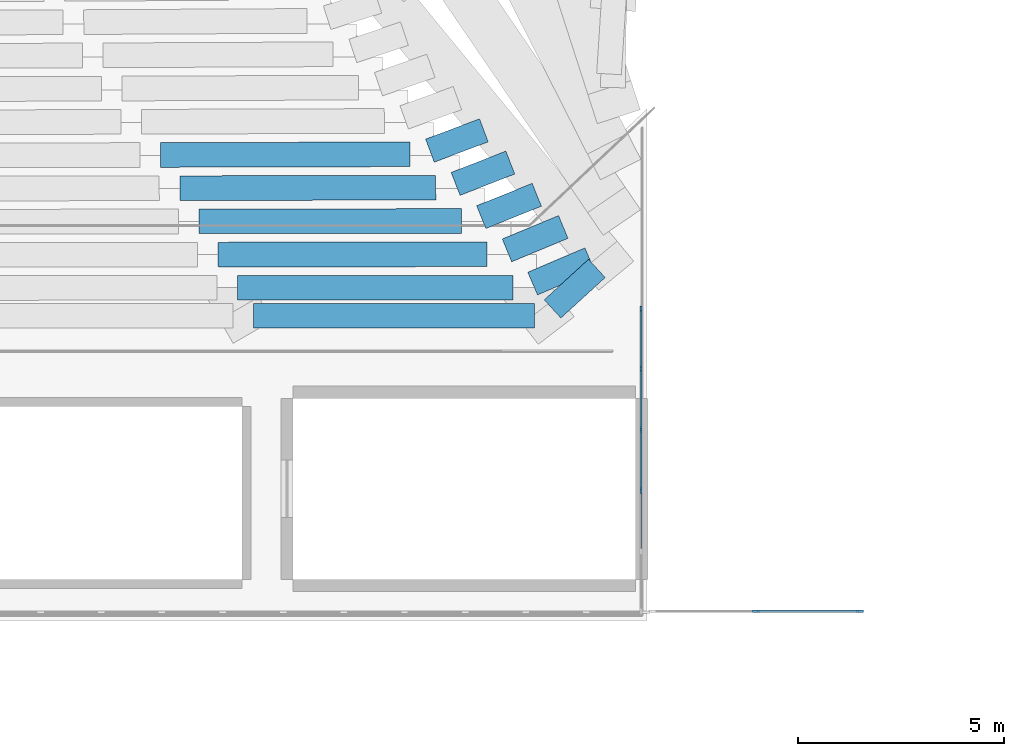
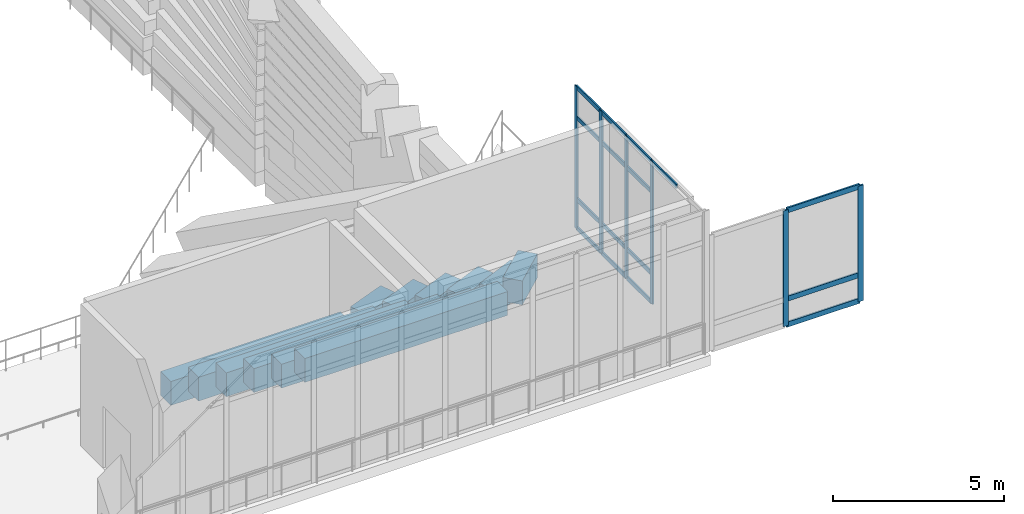
# One storey, part 14 of 55: 22 members, 12 beams, 2 elements without a shape of their own.
"""IFC4 building model written with IfcOpenShell, lengths in metres."""

from ifc_helpers import new_model, si_unit, derived_unit, direction, frame, origin, origin_2d, place, context, subcontext, project, spatial, rectangle, extrude, material, layer, layer_set, material_profile, profile_set, type_object, element, aggregate, save


model = new_model("IFC4")

# Units and contexts
model_context = context("Model", 3, precision=1e-05, world=origin(), true_north=direction((0.0, 1.0)))
body_context = subcontext(model_context, "Body", "Model", "MODEL_VIEW")
ifc_project = project(units=[si_unit("LENGTHUNIT", "METRE"), si_unit("AREAUNIT", "SQUARE_METRE"), si_unit("VOLUMEUNIT", "CUBIC_METRE"), si_unit("PLANEANGLEUNIT", "RADIAN"), si_unit("MASSUNIT", "GRAM", prefix="KILO"), derived_unit("THERMALTRANSMITTANCEUNIT", [(si_unit("MASSUNIT", "GRAM", prefix="KILO"), 1), (si_unit("TIMEUNIT", "SECOND"), -3), (si_unit("THERMODYNAMICTEMPERATUREUNIT", "KELVIN"), -1)])], contexts=[model_context])

# Site, building, storey
site_placement = place(None, origin())
site = spatial("IfcSite", under=ifc_project, at=site_placement, CompositionType="ELEMENT")
building_placement = place(site_placement, origin())
building = spatial("IfcBuilding", under=site, at=building_placement, Name="Valcora Ridge Arena", CompositionType="ELEMENT")
storey_placement = place(building_placement, frame((0.0, 0.0, 21.0)))
storey = spatial("IfcBuildingStorey", under=building, at=storey_placement, Name="L04", CompositionType="ELEMENT", Elevation=21.0)

# Beams
ifc_material_1 = material(Name="Concrete C40/50", Category="concrete")
ifc_material_profile_1 = material_profile(ifc_material_1, rectangle(XDim=0.60009765625, YDim=0.85009765625, at=origin_2d()), Name="RC 600x850")
ifc_profile_set_1 = profile_set([ifc_material_profile_1], Name="Concrete C40/50")
beam_type = type_object("IfcBeamType", Name="TY-BEAM-B-RC600-X", PredefinedType="BEAM", material=ifc_profile_set_1)
beam_1_placement = place(storey_placement, frame((77.976806640625, 31.31640625, -3.905029296875), z_axis=(0.999996573576, 0.002617792077, 0.0), x_axis=(-0.002617792077, 0.999996573576, 0.0)))
element("IfcBeam", 1, at=beam_1_placement, inside=storey, type_object=beam_type, Name="B-RC600-X BEM-RU3-B-RC600-X-0375", PredefinedType="BEAM", context=body_context, shape_type="SweptSolid", body=[
    extrude(rectangle(XDim=0.60009765625, YDim=0.85009765625, at=origin_2d()), origin(), (0.0, 0.0, 1.0), 6.06201171875),
])
beam_2_placement = place(storey_placement, frame((84.52294921875, 31.4208984375, -3.905029296875), z_axis=(0.935819809838, 0.352478770304, 0.0), x_axis=(-0.352478770304, 0.935819809838, 0.0)))
element("IfcBeam", 2, at=beam_2_placement, inside=storey, type_object=beam_type, Name="B-RC600-X BEM-RU3-B-RC600-X-0376", PredefinedType="BEAM", context=body_context, shape_type="SweptSolid", body=[
    extrude(rectangle(XDim=0.60009765625, YDim=0.85009765625, at=origin_2d()), origin(), (0.0, 0.0, 1.0), 1.401123046875),
])
beam_3_placement = place(storey_placement, frame((78.443603515625, 30.5087890625, -3.425048828125), z_axis=(0.999997836676, 0.002080058294, 0.0), x_axis=(-0.002080058294, 0.999997836676, 0.0)))
element("IfcBeam", 3, at=beam_3_placement, inside=storey, type_object=beam_type, Name="B-RC600-X BEM-RU3-B-RC600-X-0405", PredefinedType="BEAM", context=body_context, shape_type="SweptSolid", body=[
    extrude(rectangle(XDim=0.60009765625, YDim=0.85009765625, at=origin_2d()), origin(), (0.0, 0.0, 1.0), 6.220703125),
])
beam_4_placement = place(storey_placement, frame((85.147216796875, 30.613037109375, -3.425048828125), z_axis=(0.931763874775, 0.363064844986, 0.0), x_axis=(-0.363064844986, 0.931763874775, 0.0)))
element("IfcBeam", 4, at=beam_4_placement, inside=storey, type_object=beam_type, Name="B-RC600-X BEM-RU3-B-RC600-X-0406", PredefinedType="BEAM", context=body_context, shape_type="SweptSolid", body=[
    extrude(rectangle(XDim=0.60009765625, YDim=0.85009765625, at=origin_2d()), origin(), (0.0, 0.0, 1.0), 1.42822265625),
])
beam_5_placement = place(storey_placement, frame((78.91064453125, 29.70166015625, -2.945068359375), z_axis=(0.999998885998, 0.001492649899, 0.0), x_axis=(-0.001492649899, 0.999998885998, 0.0)))
element("IfcBeam", 5, at=beam_5_placement, inside=storey, type_object=beam_type, Name="B-RC600-X BEM-RU3-B-RC600-X-0437", PredefinedType="BEAM", context=body_context, shape_type="SweptSolid", body=[
    extrude(rectangle(XDim=0.60009765625, YDim=0.85009765625, at=origin_2d()), origin(), (0.0, 0.0, 1.0), 6.37890625),
])
beam_6_placement = place(storey_placement, frame((85.771484375, 29.804931640625, -2.945068359375), z_axis=(0.927606532512, 0.373558724757, 0.0), x_axis=(-0.373558724757, 0.927606532512, 0.0)))
element("IfcBeam", 6, at=beam_6_placement, inside=storey, type_object=beam_type, Name="B-RC600-X BEM-RU3-B-RC600-X-0438", PredefinedType="BEAM", context=body_context, shape_type="SweptSolid", body=[
    extrude(rectangle(XDim=0.60009765625, YDim=0.85009765625, at=origin_2d()), origin(), (0.0, 0.0, 1.0), 1.45556640625),
])
beam_7_placement = place(storey_placement, frame((79.377685546875, 28.894287109375, -2.465087890625), z_axis=(0.9999994916, 0.001008365188, 0.0), x_axis=(-0.001008365188, 0.9999994916, 0.0)))
element("IfcBeam", 7, at=beam_7_placement, inside=storey, type_object=beam_type, Name="B-RC600-X BEM-RU3-B-RC600-X-0469", PredefinedType="BEAM", context=body_context, shape_type="SweptSolid", body=[
    extrude(rectangle(XDim=0.60009765625, YDim=0.85009765625, at=origin_2d()), origin(), (0.0, 0.0, 1.0), 6.537109375),
])
beam_8_placement = place(storey_placement, frame((86.395751953125, 28.996826171875, -2.465087890625), z_axis=(0.923432099085, 0.383761851126, 0.0), x_axis=(-0.383761851126, 0.923432099085, 0.0)))
element("IfcBeam", 8, at=beam_8_placement, inside=storey, type_object=beam_type, Name="B-RC600-X BEM-RU3-B-RC600-X-0470", PredefinedType="BEAM", context=body_context, shape_type="SweptSolid", body=[
    extrude(rectangle(XDim=0.60009765625, YDim=0.85009765625, at=origin_2d()), origin(), (0.0, 0.0, 1.0), 1.48291015625),
])
beam_9_placement = place(storey_placement, frame((79.8447265625, 28.087158203125, -1.985107421875), z_axis=(0.999999887653, 0.000474020001, 0.0), x_axis=(-0.000474020001, 0.999999887653, 0.0)))
element("IfcBeam", 9, at=beam_9_placement, inside=storey, type_object=beam_type, Name="B-RC600-X BEM-RU3-B-RC600-X-0501", PredefinedType="BEAM", context=body_context, shape_type="SweptSolid", body=[
    extrude(rectangle(XDim=0.60009765625, YDim=0.85009765625, at=origin_2d()), origin(), (0.0, 0.0, 1.0), 6.695556640625),
])
beam_10_placement = place(storey_placement, frame((87.02001953125, 28.188720703125, -1.985107421875), z_axis=(0.919303790342, 0.393548651456, 0.0), x_axis=(-0.393548651456, 0.919303790342, 0.0)))
element("IfcBeam", 10, at=beam_10_placement, inside=storey, type_object=beam_type, Name="B-RC600-X BEM-RU3-B-RC600-X-0502", PredefinedType="BEAM", context=body_context, shape_type="SweptSolid", body=[
    extrude(rectangle(XDim=0.60009765625, YDim=0.85009765625, at=origin_2d()), origin(), (0.0, 0.0, 1.0), 1.510498046875),
])
beam_11_placement = place(storey_placement, frame((80.2373046875, 27.408447265625, -1.5048828125), z_axis=(0.999999892081, -0.000464584326, 0.0), x_axis=(0.000464584326, 0.999999892081, 0.0)))
element("IfcBeam", 11, at=beam_11_placement, inside=storey, type_object=beam_type, Name="B-RC600-X BEM-RU3-B-RC600-X-0533", PredefinedType="BEAM", context=body_context, shape_type="SweptSolid", body=[
    extrude(rectangle(XDim=0.60009765625, YDim=0.85009765625, at=origin_2d()), origin(), (0.0, 0.0, 1.0), 6.83154296875),
])
beam_12_placement = place(storey_placement, frame((87.50341796875, 27.57373046875, -1.5048828125), z_axis=(0.738083531523, 0.674709345196, 0.0), x_axis=(-0.674709345196, 0.738083531523, 0.0)))
element("IfcBeam", 12, at=beam_12_placement, inside=storey, type_object=beam_type, Name="B-RC600-X BEM-RU3-B-RC600-X-0534", PredefinedType="BEAM", context=body_context, shape_type="SweptSolid", body=[
    extrude(rectangle(XDim=0.60009765625, YDim=0.85009765625, at=origin_2d()), origin(), (0.0, 0.0, 1.0), 1.4599609375),
])

# Curtain wall, members
ifc_material_2 = material(Name="Anodised dark bronze architectural aluminium 6063-T6", Category="aluminium")
ifc_layer_1 = layer(ifc_material_2, 0.14990234375, Name="Anodised dark bronze architectural aluminium 6063-T6")
ifc_layer_set_1 = layer_set([ifc_layer_1], Name="Anodised dark bronze architectural aluminium 6063-T6")
curtain_wall_type_1 = type_object("IfcCurtainWallType", Name="TY-CURTAINWALL-CW-V1-EAST-074X51", PredefinedType="NOTDEFINED", material=ifc_layer_set_1)
curtain_wall_1_placement = place(storey_placement, origin())
curtain_wall_1 = element("IfcCurtainWall", 13, at=curtain_wall_1_placement, inside=storey, type_object=curtain_wall_type_1, Name="CW-V1-EAST-074X51 CW-0161", PredefinedType="NOTDEFINED")
ifc_material_profile_2 = material_profile(ifc_material_2, rectangle(XDim=0.050048828125, YDim=0.14990234375, at=origin_2d()), Name="ALU MULLION 50x150")
ifc_profile_set_2 = profile_set([ifc_material_profile_2], Name="Anodised dark bronze architectural aluminium 6063-T6")
member_type_1 = type_object("IfcMemberType", Name="TY-MEM-CWM-50x150", PredefinedType="MULLION", material=ifc_profile_set_2)
member_1_placement = place(storey_placement, frame((89.64990234375, 23.159912109375, 0.0), z_axis=(0.0, 0.0, 1.0), x_axis=(-1.0, 0.0, 0.0)))
member_1 = element("IfcMember", 14, at=member_1_placement, type_object=member_type_1, Name="CW-0161/CWM-50x150/M02", PredefinedType="MULLION", context=body_context, shape_type="SweptSolid", body=[
    extrude(rectangle(XDim=0.050048828125, YDim=0.14990234375, at=origin_2d()), origin(), (0.0, 0.0, 1.0), 5.06005859375),
])
member_2_placement = place(storey_placement, frame((89.64990234375, 24.639892578125, 0.0), z_axis=(0.0, 0.0, 1.0), x_axis=(-1.0, 0.0, 0.0)))
member_2 = element("IfcMember", 15, at=member_2_placement, type_object=member_type_1, Name="CW-0161/CWM-50x150/M03", PredefinedType="MULLION", context=body_context, shape_type="SweptSolid", body=[
    extrude(rectangle(XDim=0.050048828125, YDim=0.14990234375, at=origin_2d()), origin(), (0.0, 0.0, 1.0), 5.06005859375),
])
member_3_placement = place(storey_placement, frame((89.64990234375, 26.1201171875, 0.0), z_axis=(0.0, 0.0, 1.0), x_axis=(-1.0, 0.0, 0.0)))
member_3 = element("IfcMember", 16, at=member_3_placement, type_object=member_type_1, Name="CW-0161/CWM-50x150/M04", PredefinedType="MULLION", context=body_context, shape_type="SweptSolid", body=[
    extrude(rectangle(XDim=0.050048828125, YDim=0.14990234375, at=origin_2d()), origin(), (0.0, 0.0, 1.0), 5.06005859375),
])
member_4_placement = place(storey_placement, frame((89.64990234375, 27.574951171875, 0.0), z_axis=(0.0, 0.0, 1.0), x_axis=(-1.0, 0.0, 0.0)))
member_4 = element("IfcMember", 17, at=member_4_placement, type_object=member_type_1, Name="CW-0161/CWM-50x150/M05", PredefinedType="MULLION", context=body_context, shape_type="SweptSolid", body=[
    extrude(rectangle(XDim=0.050048828125, YDim=0.14990234375, at=origin_2d()), origin(), (0.0, 0.0, 1.0), 5.06005859375),
])

ifc_layer_2 = layer(ifc_material_2, 0.179931640625, Name="Anodised dark bronze architectural aluminium 6063-T6")
ifc_layer_set_2 = layer_set([ifc_layer_2], Name="Anodised dark bronze architectural aluminium 6063-T6")
curtain_wall_type_2 = type_object("IfcCurtainWallType", Name="TY-CURTAINWALL-CW-V1-TYMPS-051X41", PredefinedType="NOTDEFINED", material=ifc_layer_set_2)
curtain_wall_2_placement = place(storey_placement, origin())
curtain_wall_2 = element("IfcCurtainWall", 18, at=curtain_wall_2_placement, inside=storey, type_object=curtain_wall_type_2, Name="CW-V1-TYMPS-051X41 CW-0180", PredefinedType="NOTDEFINED")
ifc_material_profile_3 = material_profile(ifc_material_2, rectangle(XDim=0.06005859375, YDim=0.179931640625, at=origin_2d()), Name="ALU MULLION 60x180")
ifc_profile_set_3 = profile_set([ifc_material_profile_3], Name="Anodised dark bronze architectural aluminium 6063-T6")
member_type_2 = type_object("IfcMemberType", Name="TY-MEM-CWM-60x180", PredefinedType="MULLION", material=ifc_profile_set_3)
member_5_placement = place(storey_placement, frame((92.449951171875, 20.219970703125, 0.0), z_axis=(0.0, 0.0, 1.0), x_axis=(0.0, 1.0, 0.0)))
member_5 = element("IfcMember", 19, at=member_5_placement, type_object=member_type_2, Name="CW-0180/CWM-60x180/M01", PredefinedType="MULLION", context=body_context, shape_type="SweptSolid", body=[
    extrude(rectangle(XDim=0.06005859375, YDim=0.179931640625, at=origin_2d()), origin(), (0.0, 0.0, 1.0), 4.12548828125),
])
member_6_placement = place(storey_placement, frame((94.969970703125, 20.219970703125, 0.0), z_axis=(0.0, 0.0, 1.0), x_axis=(0.0, 1.0, 0.0)))
member_6 = element("IfcMember", 20, at=member_6_placement, type_object=member_type_2, Name="CW-0180/CWM-60x180/M02", PredefinedType="MULLION", context=body_context, shape_type="SweptSolid", body=[
    extrude(rectangle(XDim=0.06005859375, YDim=0.179931640625, at=origin_2d()), origin(), (0.0, 0.0, 1.0), 4.12548828125),
])

# Member
ifc_material_profile_4 = material_profile(ifc_material_2, rectangle(XDim=0.050048828125, YDim=0.14990234375, at=origin_2d()), Name="ALU TRANSOM 50x150")
ifc_profile_set_4 = profile_set([ifc_material_profile_4], Name="Anodised dark bronze architectural aluminium 6063-T6")
member_type_3 = type_object("IfcMemberType", Name="TY-MEM-CWT-50x150", PredefinedType="USERDEFINED", material=ifc_profile_set_4)
member_7_placement = place(storey_placement, frame((89.64990234375, 21.705078125, 5.034912109375), z_axis=(0.0, 1.0, 0.0), x_axis=(-1.0, 0.0, 0.0)))
member_7 = element("IfcMember", 21, at=member_7_placement, type_object=member_type_3, Name="CW-0161/CWT-50x150/T01-03", ObjectType="TRANSOM", PredefinedType="USERDEFINED", context=body_context, shape_type="SweptSolid", body=[
    extrude(rectangle(XDim=0.050048828125, YDim=0.14990234375, at=origin_2d()), origin(), (0.0, 0.0, 1.0), 1.429931640625),
])

member_8_placement = place(storey_placement, frame((89.64990234375, 23.18505859375, 0.02490234375), z_axis=(0.0, 1.0, 0.0), x_axis=(-1.0, 0.0, 0.0)))
member_8 = element("IfcMember", 22, at=member_8_placement, type_object=member_type_3, Name="CW-0161/CWT-50x150/T02-00", ObjectType="TRANSOM", PredefinedType="USERDEFINED", context=body_context, shape_type="SweptSolid", body=[
    extrude(rectangle(XDim=0.050048828125, YDim=0.14990234375, at=origin_2d()), origin(), (0.0, 0.0, 1.0), 1.429931640625),
])

member_9_placement = place(storey_placement, frame((89.64990234375, 23.18505859375, 1.050048828125), z_axis=(0.0, 1.0, 0.0), x_axis=(-1.0, 0.0, 0.0)))
member_9 = element("IfcMember", 23, at=member_9_placement, type_object=member_type_3, Name="CW-0161/CWT-50x150/T02-01", ObjectType="TRANSOM", PredefinedType="USERDEFINED", context=body_context, shape_type="SweptSolid", body=[
    extrude(rectangle(XDim=0.050048828125, YDim=0.14990234375, at=origin_2d()), origin(), (0.0, 0.0, 1.0), 1.429931640625),
])

member_10_placement = place(storey_placement, frame((89.64990234375, 23.18505859375, 3.9599609375), z_axis=(0.0, 1.0, 0.0), x_axis=(-1.0, 0.0, 0.0)))
member_10 = element("IfcMember", 24, at=member_10_placement, type_object=member_type_3, Name="CW-0161/CWT-50x150/T02-02", ObjectType="TRANSOM", PredefinedType="USERDEFINED", context=body_context, shape_type="SweptSolid", body=[
    extrude(rectangle(XDim=0.050048828125, YDim=0.14990234375, at=origin_2d()), origin(), (0.0, 0.0, 1.0), 1.429931640625),
])

member_11_placement = place(storey_placement, frame((89.64990234375, 23.18505859375, 5.034912109375), z_axis=(0.0, 1.0, 0.0), x_axis=(-1.0, 0.0, 0.0)))
member_11 = element("IfcMember", 25, at=member_11_placement, type_object=member_type_3, Name="CW-0161/CWT-50x150/T02-03", ObjectType="TRANSOM", PredefinedType="USERDEFINED", context=body_context, shape_type="SweptSolid", body=[
    extrude(rectangle(XDim=0.050048828125, YDim=0.14990234375, at=origin_2d()), origin(), (0.0, 0.0, 1.0), 1.429931640625),
])

member_12_placement = place(storey_placement, frame((89.64990234375, 24.6650390625, 0.02490234375), z_axis=(0.0, 1.0, 0.0), x_axis=(-1.0, 0.0, 0.0)))
member_12 = element("IfcMember", 26, at=member_12_placement, type_object=member_type_3, Name="CW-0161/CWT-50x150/T03-00", ObjectType="TRANSOM", PredefinedType="USERDEFINED", context=body_context, shape_type="SweptSolid", body=[
    extrude(rectangle(XDim=0.050048828125, YDim=0.14990234375, at=origin_2d()), origin(), (0.0, 0.0, 1.0), 1.429931640625),
])

member_13_placement = place(storey_placement, frame((89.64990234375, 24.6650390625, 1.050048828125), z_axis=(0.0, 1.0, 0.0), x_axis=(-1.0, 0.0, 0.0)))
member_13 = element("IfcMember", 27, at=member_13_placement, type_object=member_type_3, Name="CW-0161/CWT-50x150/T03-01", ObjectType="TRANSOM", PredefinedType="USERDEFINED", context=body_context, shape_type="SweptSolid", body=[
    extrude(rectangle(XDim=0.050048828125, YDim=0.14990234375, at=origin_2d()), origin(), (0.0, 0.0, 1.0), 1.429931640625),
])

member_14_placement = place(storey_placement, frame((89.64990234375, 24.6650390625, 3.9599609375), z_axis=(0.0, 1.0, 0.0), x_axis=(-1.0, 0.0, 0.0)))
member_14 = element("IfcMember", 28, at=member_14_placement, type_object=member_type_3, Name="CW-0161/CWT-50x150/T03-02", ObjectType="TRANSOM", PredefinedType="USERDEFINED", context=body_context, shape_type="SweptSolid", body=[
    extrude(rectangle(XDim=0.050048828125, YDim=0.14990234375, at=origin_2d()), origin(), (0.0, 0.0, 1.0), 1.429931640625),
])

member_15_placement = place(storey_placement, frame((89.64990234375, 24.6650390625, 5.034912109375), z_axis=(0.0, 1.0, 0.0), x_axis=(-1.0, 0.0, 0.0)))
member_15 = element("IfcMember", 29, at=member_15_placement, type_object=member_type_3, Name="CW-0161/CWT-50x150/T03-03", ObjectType="TRANSOM", PredefinedType="USERDEFINED", context=body_context, shape_type="SweptSolid", body=[
    extrude(rectangle(XDim=0.050048828125, YDim=0.14990234375, at=origin_2d()), origin(), (0.0, 0.0, 1.0), 1.429931640625),
])

member_16_placement = place(storey_placement, frame((89.64990234375, 26.14501953125, 0.02490234375), z_axis=(0.0, 1.0, 0.0), x_axis=(-1.0, 0.0, 0.0)))
member_16 = element("IfcMember", 30, at=member_16_placement, type_object=member_type_3, Name="CW-0161/CWT-50x150/T04-00", ObjectType="TRANSOM", PredefinedType="USERDEFINED", context=body_context, shape_type="SweptSolid", body=[
    extrude(rectangle(XDim=0.050048828125, YDim=0.14990234375, at=origin_2d()), origin(), (0.0, 0.0, 1.0), 1.405029296875),
])

member_17_placement = place(storey_placement, frame((89.64990234375, 26.14501953125, 1.050048828125), z_axis=(0.0, 1.0, 0.0), x_axis=(-1.0, 0.0, 0.0)))
member_17 = element("IfcMember", 31, at=member_17_placement, type_object=member_type_3, Name="CW-0161/CWT-50x150/T04-01", ObjectType="TRANSOM", PredefinedType="USERDEFINED", context=body_context, shape_type="SweptSolid", body=[
    extrude(rectangle(XDim=0.050048828125, YDim=0.14990234375, at=origin_2d()), origin(), (0.0, 0.0, 1.0), 1.405029296875),
])

member_18_placement = place(storey_placement, frame((89.64990234375, 26.14501953125, 3.9599609375), z_axis=(0.0, 1.0, 0.0), x_axis=(-1.0, 0.0, 0.0)))
member_18 = element("IfcMember", 32, at=member_18_placement, type_object=member_type_3, Name="CW-0161/CWT-50x150/T04-02", ObjectType="TRANSOM", PredefinedType="USERDEFINED", context=body_context, shape_type="SweptSolid", body=[
    extrude(rectangle(XDim=0.050048828125, YDim=0.14990234375, at=origin_2d()), origin(), (0.0, 0.0, 1.0), 1.405029296875),
])

member_19_placement = place(storey_placement, frame((89.64990234375, 26.14501953125, 5.034912109375), z_axis=(0.0, 1.0, 0.0), x_axis=(-1.0, 0.0, 0.0)))
member_19 = element("IfcMember", 33, at=member_19_placement, type_object=member_type_3, Name="CW-0161/CWT-50x150/T04-03", ObjectType="TRANSOM", PredefinedType="USERDEFINED", context=body_context, shape_type="SweptSolid", body=[
    extrude(rectangle(XDim=0.050048828125, YDim=0.14990234375, at=origin_2d()), origin(), (0.0, 0.0, 1.0), 1.405029296875),
])

aggregate(curtain_wall_1, [member_1, member_2, member_3, member_4, member_7, member_8, member_9, member_10, member_11, member_12, member_13, member_14, member_15, member_16, member_17, member_18, member_19])

ifc_material_profile_5 = material_profile(ifc_material_2, rectangle(XDim=0.06005859375, YDim=0.179931640625, at=origin_2d()), Name="ALU TRANSOM 60x180")
ifc_profile_set_5 = profile_set([ifc_material_profile_5], Name="Anodised dark bronze architectural aluminium 6063-T6")
member_type_4 = type_object("IfcMemberType", Name="TY-MEM-CWT-60x180", PredefinedType="USERDEFINED", material=ifc_profile_set_5)
member_20_placement = place(storey_placement, frame((92.47998046875, 20.219970703125, 0.030029296875), z_axis=(1.0, 0.0, 0.0), x_axis=(0.0, 1.0, 0.0)))
member_20 = element("IfcMember", 34, at=member_20_placement, type_object=member_type_4, Name="CW-0180/CWT-60x180/T01-00", ObjectType="TRANSOM", PredefinedType="USERDEFINED", context=body_context, shape_type="SweptSolid", body=[
    extrude(rectangle(XDim=0.06005859375, YDim=0.179931640625, at=origin_2d()), origin(), (0.0, 0.0, 1.0), 2.4599609375),
])

member_21_placement = place(storey_placement, frame((92.47998046875, 20.219970703125, 0.949951171875), z_axis=(1.0, 0.0, 0.0), x_axis=(0.0, 1.0, 0.0)))
member_21 = element("IfcMember", 35, at=member_21_placement, type_object=member_type_4, Name="CW-0180/CWT-60x180/T01-01", ObjectType="TRANSOM", PredefinedType="USERDEFINED", context=body_context, shape_type="SweptSolid", body=[
    extrude(rectangle(XDim=0.06005859375, YDim=0.179931640625, at=origin_2d()), origin(), (0.0, 0.0, 1.0), 2.4599609375),
])

member_22_placement = place(storey_placement, frame((92.47998046875, 20.219970703125, 4.095458984375), z_axis=(1.0, 0.0, 0.0), x_axis=(0.0, 1.0, 0.0)))
member_22 = element("IfcMember", 36, at=member_22_placement, type_object=member_type_4, Name="CW-0180/CWT-60x180/T01-02", ObjectType="TRANSOM", PredefinedType="USERDEFINED", context=body_context, shape_type="SweptSolid", body=[
    extrude(rectangle(XDim=0.06005859375, YDim=0.179931640625, at=origin_2d()), origin(), (0.0, 0.0, 1.0), 2.4599609375),
])

aggregate(curtain_wall_2, [member_5, member_6, member_20, member_21, member_22])

save(model, "model.ifc")
